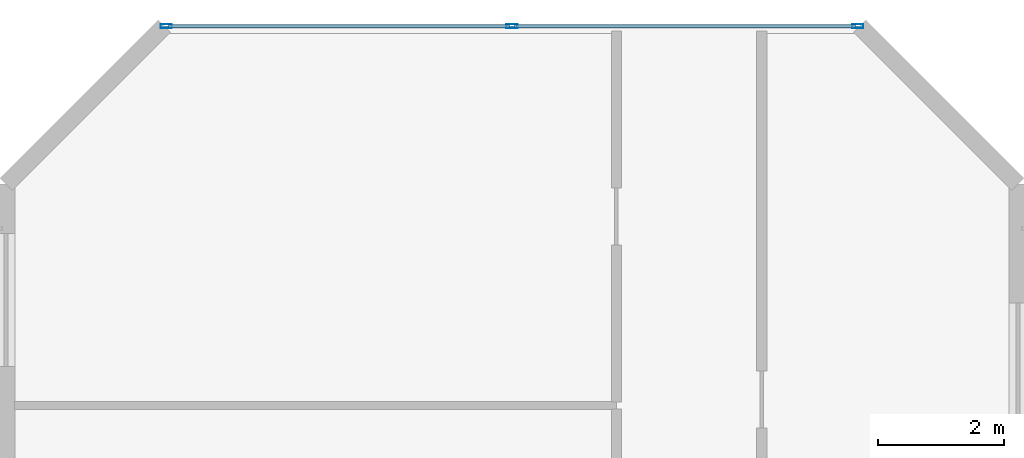
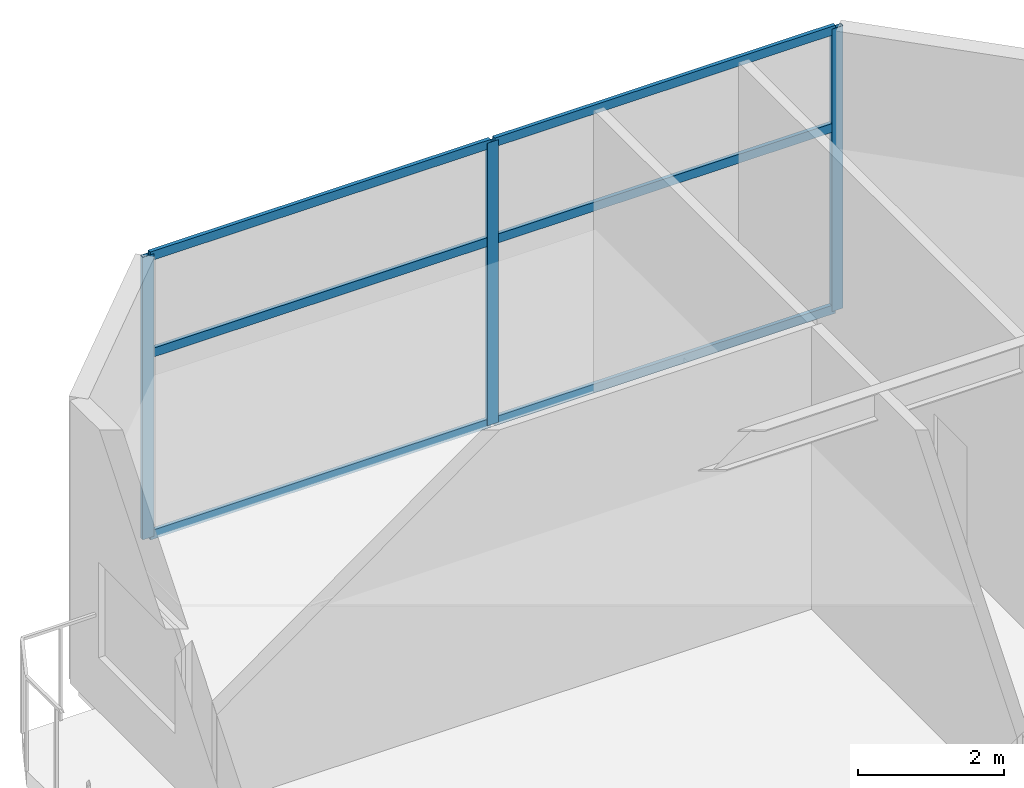
# One storey, part 9 of 15: 9 members, 1 element without a shape of its own.
"""IFC4 building model written with IfcOpenShell, lengths in metres."""

from ifc_helpers import new_model, si_unit, direction, frame, origin, origin_2d, place, context, subcontext, project, spatial, hollow_rectangle, extrude, material, layer, layer_set, material_profile, profile_set, type_object, element, aggregate, save


model = new_model("IFC4")

# Units and contexts
model_context = context("Model", 3, precision=1e-05, world=origin(), true_north=direction((0.0, 1.0)))
body_context = subcontext(model_context, "Body", "Model", "MODEL_VIEW")
ifc_project = project(units=[si_unit("LENGTHUNIT", "METRE"), si_unit("AREAUNIT", "SQUARE_METRE"), si_unit("VOLUMEUNIT", "CUBIC_METRE"), si_unit("PLANEANGLEUNIT", "RADIAN"), si_unit("MASSUNIT", "GRAM", prefix="KILO")], contexts=[model_context])

# Site, building, storey
site_placement = place(None, origin())
site = spatial("IfcSite", under=ifc_project, at=site_placement, CompositionType="ELEMENT")
building_placement = place(site_placement, origin())
building = spatial("IfcBuilding", under=site, at=building_placement, Name="Mawjaban Terraces University", CompositionType="ELEMENT")
storey_placement = place(building_placement, frame((0.0, 0.0, 306.699951171875)))
storey = spatial("IfcBuildingStorey", under=building, at=storey_placement, Name="L75", CompositionType="ELEMENT", Elevation=306.699951171875)

# Curtain wall, members
ifc_material_1 = material(Name="Anodised aluminium 6063-T6 and solar-control low-E glass", Category="aluminium")
ifc_layer = layer(ifc_material_1, 0.199951171875)
ifc_layer_set = layer_set([ifc_layer], Name="Anodised aluminium 6063-T6 and solar-control low-E glass")
curtain_wall_type = type_object("IfcCurtainWallType", Name="CWSystem_06_ObservationCrown", PredefinedType="NOTDEFINED", material=ifc_layer_set)
curtain_wall_placement = place(storey_placement, origin())
curtain_wall = element("IfcCurtainWall", 1, at=curtain_wall_placement, inside=storey, type_object=curtain_wall_type, Name="L75 Curtain Wall CW-06 Run 11.1", PredefinedType="NOTDEFINED")
ifc_material_2 = material(Name="Anodised aluminium 6063-T6", Category="aluminium")
ifc_material_profile_1 = material_profile(ifc_material_2, hollow_rectangle(XDim=0.06494140625, YDim=0.179931640625, WallThickness=0.00390625, at=origin_2d()), Name="ALU180X65X4")
ifc_profile_set_1 = profile_set([ifc_material_profile_1], Name="Anodised aluminium 6063-T6")
member_type_1 = type_object("IfcMemberType", Name="Mullion_CW-06", PredefinedType="MULLION", material=ifc_profile_set_1)
member_1_placement = place(storey_placement, frame((35.467529296875, 37.800048828125, 0.0), z_axis=(0.0, 0.0, 1.0), x_axis=(0.0, -1.0, 0.0)))
member_1 = element("IfcMember", 2, at=member_1_placement, type_object=member_type_1, Name="CW-06 mullion 1", PredefinedType="MULLION", context=body_context, shape_type="SweptSolid", body=[
    extrude(hollow_rectangle(XDim=0.06494140625, YDim=0.179931640625, WallThickness=0.00390625, at=origin_2d()), origin(), (0.0, 0.0, 1.0), 4.739990234375),
])
member_2_placement = place(storey_placement, frame((30.0, 37.800048828125, 0.0), z_axis=(0.0, 0.0, 1.0), x_axis=(0.0, -1.0, 0.0)))
member_2 = element("IfcMember", 3, at=member_2_placement, type_object=member_type_1, Name="CW-06 mullion 2", PredefinedType="MULLION", context=body_context, shape_type="SweptSolid", body=[
    extrude(hollow_rectangle(XDim=0.06494140625, YDim=0.179931640625, WallThickness=0.00390625, at=origin_2d()), origin(), (0.0, 0.0, 1.0), 4.739990234375),
])
member_3_placement = place(storey_placement, frame((24.532470703125, 37.800048828125, 0.0), z_axis=(0.0, 0.0, 1.0), x_axis=(0.0, -1.0, 0.0)))
member_3 = element("IfcMember", 4, at=member_3_placement, type_object=member_type_1, Name="CW-06 mullion 3", PredefinedType="MULLION", context=body_context, shape_type="SweptSolid", body=[
    extrude(hollow_rectangle(XDim=0.06494140625, YDim=0.179931640625, WallThickness=0.00390625, at=origin_2d()), origin(), (0.0, 0.0, 1.0), 4.739990234375),
])
ifc_material_profile_2 = material_profile(ifc_material_2, hollow_rectangle(XDim=0.06005859375, YDim=0.14990234375, WallThickness=0.00390625, at=origin_2d()), Name="ALU150X60X4")
ifc_profile_set_2 = profile_set([ifc_material_profile_2], Name="Anodised aluminium 6063-T6")
member_type_2 = type_object("IfcMemberType", Name="Transom_CW-06", PredefinedType="NOTDEFINED", material=ifc_profile_set_2)
member_4_placement = place(storey_placement, frame((35.43505859375, 37.800048828125, 0.030029296875), z_axis=(-1.0, 0.0, 0.0), x_axis=(0.0, -1.0, 0.0)))
member_4 = element("IfcMember", 5, at=member_4_placement, type_object=member_type_2, Name="CW-06 transom 1.1", ObjectType="TRANSOM", PredefinedType="USERDEFINED", context=body_context, shape_type="SweptSolid", body=[
    extrude(hollow_rectangle(XDim=0.06005859375, YDim=0.14990234375, WallThickness=0.00390625, at=origin_2d()), origin(), (0.0, 0.0, 1.0), 5.402587890625),
])
member_5_placement = place(storey_placement, frame((35.43505859375, 37.800048828125, 3.0810546875), z_axis=(-1.0, 0.0, 0.0), x_axis=(0.0, -1.0, 0.0)))
member_5 = element("IfcMember", 6, at=member_5_placement, type_object=member_type_2, Name="CW-06 transom 1.2", ObjectType="TRANSOM", PredefinedType="USERDEFINED", context=body_context, shape_type="SweptSolid", body=[
    extrude(hollow_rectangle(XDim=0.06005859375, YDim=0.14990234375, WallThickness=0.00390625, at=origin_2d()), origin(), (0.0, 0.0, 1.0), 5.402587890625),
])
member_6_placement = place(storey_placement, frame((35.43505859375, 37.800048828125, 4.7099609375), z_axis=(-1.0, 0.0, 0.0), x_axis=(0.0, -1.0, 0.0)))
member_6 = element("IfcMember", 7, at=member_6_placement, type_object=member_type_2, Name="CW-06 transom 1.3", ObjectType="TRANSOM", PredefinedType="USERDEFINED", context=body_context, shape_type="SweptSolid", body=[
    extrude(hollow_rectangle(XDim=0.06005859375, YDim=0.14990234375, WallThickness=0.00390625, at=origin_2d()), origin(), (0.0, 0.0, 1.0), 5.402587890625),
])
member_7_placement = place(storey_placement, frame((29.967529296875, 37.800048828125, 0.030029296875), z_axis=(-1.0, 0.0, 0.0), x_axis=(0.0, -1.0, 0.0)))
member_7 = element("IfcMember", 8, at=member_7_placement, type_object=member_type_2, Name="CW-06 transom 2.1", ObjectType="TRANSOM", PredefinedType="USERDEFINED", context=body_context, shape_type="SweptSolid", body=[
    extrude(hollow_rectangle(XDim=0.06005859375, YDim=0.14990234375, WallThickness=0.00390625, at=origin_2d()), origin(), (0.0, 0.0, 1.0), 5.402587890625),
])
member_8_placement = place(storey_placement, frame((29.967529296875, 37.800048828125, 3.0810546875), z_axis=(-1.0, 0.0, 0.0), x_axis=(0.0, -1.0, 0.0)))
member_8 = element("IfcMember", 9, at=member_8_placement, type_object=member_type_2, Name="CW-06 transom 2.2", ObjectType="TRANSOM", PredefinedType="USERDEFINED", context=body_context, shape_type="SweptSolid", body=[
    extrude(hollow_rectangle(XDim=0.06005859375, YDim=0.14990234375, WallThickness=0.00390625, at=origin_2d()), origin(), (0.0, 0.0, 1.0), 5.402587890625),
])
member_9_placement = place(storey_placement, frame((29.967529296875, 37.800048828125, 4.7099609375), z_axis=(-1.0, 0.0, 0.0), x_axis=(0.0, -1.0, 0.0)))
member_9 = element("IfcMember", 10, at=member_9_placement, type_object=member_type_2, Name="CW-06 transom 2.3", ObjectType="TRANSOM", PredefinedType="USERDEFINED", context=body_context, shape_type="SweptSolid", body=[
    extrude(hollow_rectangle(XDim=0.06005859375, YDim=0.14990234375, WallThickness=0.00390625, at=origin_2d()), origin(), (0.0, 0.0, 1.0), 5.402587890625),
])
aggregate(curtain_wall, [member_1, member_2, member_3, member_4, member_5, member_6, member_7, member_8, member_9])

save(model, "model.ifc")
